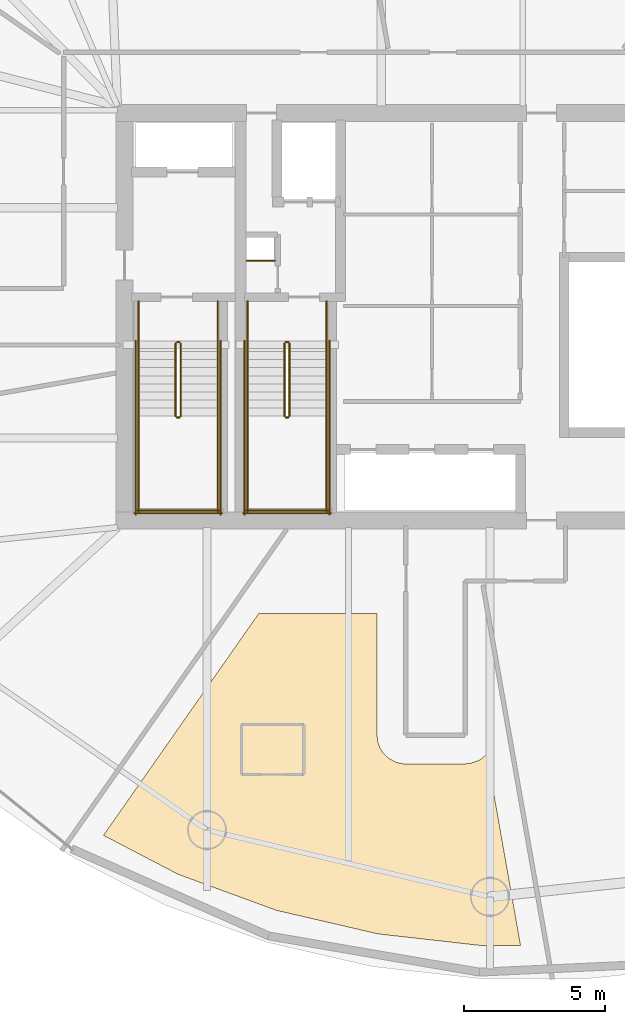
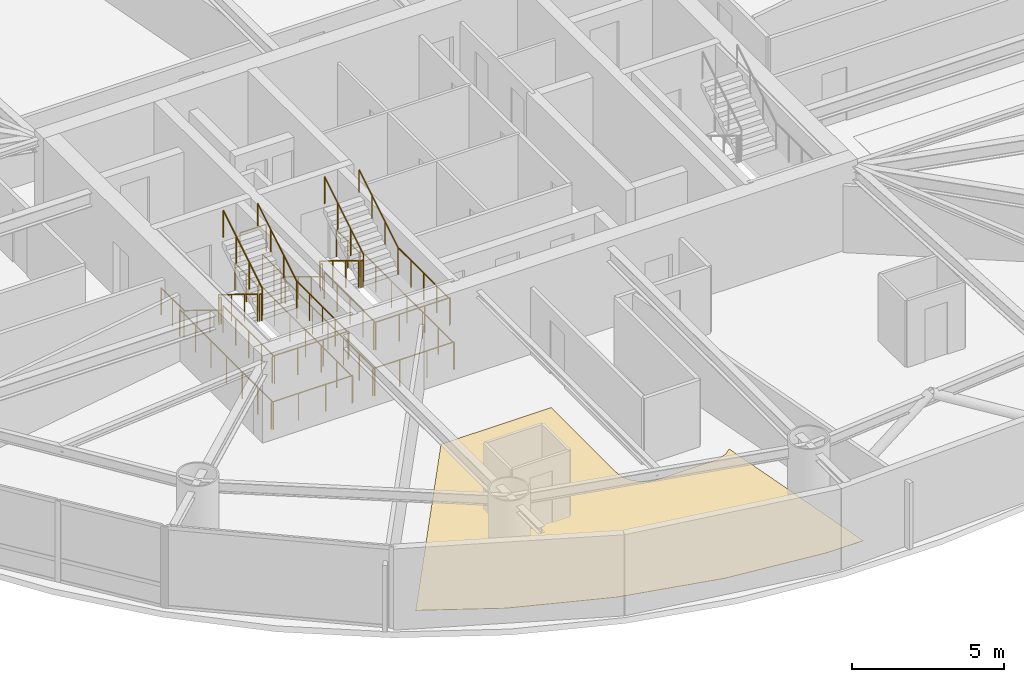
# One storey, part 18 of 20: 29 railings, 1 covering.
"""IFC4 building model written with IfcOpenShell, lengths in metres."""

import ifcopenshell
import ifcopenshell.guid

model = None  # the IFC model being written
_history = None  # IfcOwnerHistory: only IFC2X3 demands one
_inside = {}  # id of a spatial element -> (the spatial element, [elements in it])
_under = {}  # id of a project, library or spatial element -> (it, [spatial elements below it])
_declared = {}  # id of a project -> (the project, [libraries it declares])
_typed = {}  # id of a type object -> (the type object, [elements of that type])
_made_of = {}  # id of a material, layer set ... -> (it, [elements and type objects made of it])


def new_model(schema):
    """Start an empty IFC model of exactly this schema.

    Asked for "IFC4X3", IfcOpenShell would pick the latest addendum, in which some entities
    have other attributes; the version numbers below select the first issue.
    IFC2X3 requires an IfcOwnerHistory on every rooted entity: one is made here for all.
    """
    global model, _history
    if schema == "IFC4X3":
        model = ifcopenshell.file(schema_version=(4, 3, 0, 0))
    else:
        model = ifcopenshell.file(schema=schema)
    _inside.clear()
    _under.clear()
    _declared.clear()
    _typed.clear()
    _made_of.clear()
    _history = None
    if model.schema == "IFC2X3":
        org = make("IfcOrganization", Name="unknown")
        user = make(
            "IfcPersonAndOrganization",
            ThePerson=make("IfcPerson", FamilyName="unknown"),
            TheOrganization=org,
        )
        app = make(
            "IfcApplication",
            ApplicationDeveloper=org,
            Version="unknown",
            ApplicationFullName="unknown",
            ApplicationIdentifier="unknown",
        )
        _history = make(
            "IfcOwnerHistory",
            OwningUser=user,
            OwningApplication=app,
            ChangeAction="ADDED",
            CreationDate=0,
        )
    return model


def make(cls, **values):
    """One entity of the class cls with the attributes given. An attribute that is None is left unset."""
    return model.create_entity(
        cls, **{name: value for name, value in values.items() if value is not None}
    )


def rooted(cls, **values):
    """An entity with a GlobalId (a new one), such as an element, a storey or a relation."""
    return make(cls, GlobalId=ifcopenshell.guid.new(), OwnerHistory=_history, **values)


def si_unit(unit_type, name, prefix=None):
    """IfcSIUnit, for example si_unit("LENGTHUNIT", "METRE", prefix="MILLI")."""
    return make("IfcSIUnit", UnitType=unit_type, Prefix=prefix, Name=name)


def assignment(units):
    """IfcUnitAssignment: the units of a project."""
    return None if units is None else make("IfcUnitAssignment", Units=units)


def point(xyz):
    """IfcCartesianPoint."""
    return None if xyz is None else make("IfcCartesianPoint", Coordinates=xyz)


def direction(xyz):
    """IfcDirection."""
    return None if xyz is None else make("IfcDirection", DirectionRatios=xyz)


def frame(location, z_axis=None, x_axis=None):
    """IfcAxis2Placement3D, a coordinate frame: its origin and axes. An axis left out is left unset."""
    return make(
        "IfcAxis2Placement3D",
        Location=point(location),
        Axis=direction(z_axis),
        RefDirection=direction(x_axis),
    )


def frame_2d(location, x_axis=None):
    """IfcAxis2Placement2D, a coordinate frame in the plane: its origin and x axis."""
    return make(
        "IfcAxis2Placement2D", Location=point(location), RefDirection=direction(x_axis)
    )


def origin():
    """The frame at (0, 0, 0) with its axes left unset."""
    return frame((0.0, 0.0, 0.0))


def origin_2d():
    """The frame at (0, 0) in the plane with its x axis left unset."""
    return frame_2d((0.0, 0.0))


def place(relative_to, where):
    """IfcLocalPlacement: puts the frame where relative to a parent placement (None: the world)."""
    return make(
        "IfcLocalPlacement", PlacementRelTo=relative_to, RelativePlacement=where
    )


def context(
    kind, dimensions, precision=None, world=None, true_north=None, identifier=None
):
    """IfcGeometricRepresentationContext, for example the 3D "Model" context."""
    return make(
        "IfcGeometricRepresentationContext",
        ContextIdentifier=identifier,
        ContextType=kind,
        CoordinateSpaceDimension=dimensions,
        Precision=precision,
        WorldCoordinateSystem=world,
        TrueNorth=true_north,
    )


def subcontext(parent, identifier, kind, view, scale=None):
    """IfcGeometricRepresentationSubContext, for example "Body" below "Model"."""
    return make(
        "IfcGeometricRepresentationSubContext",
        ContextIdentifier=identifier,
        ContextType=kind,
        ParentContext=parent,
        TargetScale=scale,
        TargetView=view,
    )


def project(units=None, contexts=None):
    """IfcProject with its units and contexts."""
    return rooted(
        "IfcProject",
        Name="project",
        RepresentationContexts=contexts,
        UnitsInContext=assignment(units),
    )


def spatial(cls, under=None, at=None, **own):
    """A site, building, storey or space (cls), placed at a placement, below another one or the project."""
    s = rooted(cls, ObjectPlacement=at, **own)
    if under is not None:
        _under.setdefault(under.id(), (under, []))[1].append(s)
    return s


def polyline(points):
    """IfcPolyline through the points."""
    return make("IfcPolyline", Points=[point(p) for p in points])


def profile(cls, at=None, kind="AREA", **sizes):
    """A parametric profile (cls). Its sizes go by their IFC names, for example OverallWidth=200.0."""
    return make(cls, ProfileType=kind, Position=at, **sizes)


def circle(**sizes):
    """IfcCircleProfileDef."""
    return profile("IfcCircleProfileDef", **sizes)


def outline(outer, holes=None, kind="AREA"):
    """IfcArbitraryClosedProfileDef: a profile drawn as a closed curve; with holes, ...WithVoids."""
    if holes is None:
        return make("IfcArbitraryClosedProfileDef", ProfileType=kind, OuterCurve=outer)
    return make(
        "IfcArbitraryProfileDefWithVoids",
        ProfileType=kind,
        OuterCurve=outer,
        InnerCurves=holes,
    )


def extrude(swept, where, along, depth):
    """IfcExtrudedAreaSolid: the profile swept, set in the frame where, extruded along a direction by depth."""
    return make(
        "IfcExtrudedAreaSolid",
        SweptArea=swept,
        Position=where,
        ExtrudedDirection=direction(along),
        Depth=depth,
    )


def shape(context_of_items, identifier, shape_type, items):
    """IfcShapeRepresentation: the items that make up one representation, for example the "Body"."""
    return make(
        "IfcShapeRepresentation",
        ContextOfItems=context_of_items,
        RepresentationIdentifier=identifier,
        RepresentationType=shape_type,
        Items=items,
    )


def material(Name=None, Category=None):
    """IfcMaterial."""
    return make("IfcMaterial", Name=Name, Category=Category)


def layer(
    of_material, thickness, ventilated=None, Name=None, Category=None, Priority=None
):
    """IfcMaterialLayer: one layer of a wall or slab, of a material (None: an air gap)."""
    return make(
        "IfcMaterialLayer",
        Material=of_material,
        LayerThickness=thickness,
        IsVentilated=ventilated,
        Name=Name,
        Category=Category,
        Priority=Priority,
    )


def layer_set(layers, Name=None):
    """IfcMaterialLayerSet."""
    return make("IfcMaterialLayerSet", MaterialLayers=layers, LayerSetName=Name)


def made_of(thing, what):
    """Note that an element or type object is made of a material, layer set ...; save() writes the relation."""
    if what is not None:
        _made_of.setdefault(what.id(), (what, []))[1].append(thing)
    return thing


def type_object(cls, material=None, **own):
    """A type object (cls), such as IfcWallType, which elements share."""
    return made_of(rooted(cls, **own), material)


def element(
    cls,
    number,
    at=None,
    inside=None,
    cuts=None,
    type_object=None,
    material=None,
    context=None,
    identifier="Body",
    shape_type=None,
    held_by="IfcProductDefinitionShape",
    body=None,
    shapes=None,
    **own,
):
    """One element of the class cls, such as IfcWall. Its Tag is "e" and its number.

    at: its placement. inside: the storey or other place that contains it. cuts: it is an
    opening in that element (IfcRelVoidsElement). A single representation is given by context,
    identifier, shape_type and body (its items); several are given by shapes. held_by: the class
    of the entity that holds the representations. save() writes the other relations.
    """
    e = rooted(cls, Tag="e%d" % number, ObjectPlacement=at, **own)
    if body is not None:
        shapes = [shape(context, identifier, shape_type, body)]
    if shapes is not None:
        e.Representation = make(held_by, Representations=shapes)
    if inside is not None:
        _inside.setdefault(inside.id(), (inside, []))[1].append(e)
    if cuts is not None:
        rooted(
            "IfcRelVoidsElement", RelatingBuildingElement=cuts, RelatedOpeningElement=e
        )
    if type_object is not None:
        _typed.setdefault(type_object.id(), (type_object, []))[1].append(e)
    return made_of(e, material)


def aggregate(whole, parts):
    """IfcRelAggregates: a whole, such as a stair, and the parts it consists of."""
    return rooted("IfcRelAggregates", RelatingObject=whole, RelatedObjects=parts)


def save(model, path):
    """Write the relations noted so far, then the file.

    IfcRelAggregates (storeys below a building ...), IfcRelContainedInSpatialStructure (elements
    in a storey), IfcRelDefinesByType, IfcRelAssociatesMaterial and IfcRelDeclares: one each for
    every whole, place, type object, material and project.
    """
    for whole, parts in _under.values():
        aggregate(whole, parts)
    for where, things in _inside.values():
        rooted(
            "IfcRelContainedInSpatialStructure",
            RelatedElements=things,
            RelatingStructure=where,
        )
    for kind, things in _typed.values():
        rooted("IfcRelDefinesByType", RelatedObjects=things, RelatingType=kind)
    for what, things in _made_of.values():
        rooted("IfcRelAssociatesMaterial", RelatedObjects=things, RelatingMaterial=what)
    for by, libraries in _declared.values():
        rooted("IfcRelDeclares", RelatingContext=by, RelatedDefinitions=libraries)
    model.write(path)


model = new_model("IFC4")

# Units and contexts
model_context = context("Model", 3, precision=1e-05, world=origin(), true_north=direction((0.0, 1.0)))
body_context = subcontext(model_context, "Body", "Model", "MODEL_VIEW")
ifc_project = project(units=[si_unit("LENGTHUNIT", "METRE"), si_unit("AREAUNIT", "SQUARE_METRE"), si_unit("VOLUMEUNIT", "CUBIC_METRE"), si_unit("PLANEANGLEUNIT", "RADIAN"), si_unit("MASSUNIT", "GRAM", prefix="KILO")], contexts=[model_context])

# Site, building, storey
site_placement = place(None, origin())
site = spatial("IfcSite", under=ifc_project, at=site_placement, CompositionType="ELEMENT")
building_placement = place(site_placement, origin())
building = spatial("IfcBuilding", under=site, at=building_placement, Name="Bramvorn Convention Spire", CompositionType="ELEMENT")
storey_placement = place(building_placement, frame((0.0, 0.0, 155.300048828125)))
storey = spatial("IfcBuildingStorey", under=building, at=storey_placement, Name="L39", CompositionType="ELEMENT", Elevation=155.300048828125)

# Covering
ifc_material_1 = material(Name="Solution-Dyed Wool Broadloom Hospitality Carpet", Category="textile")
ifc_layer = layer(ifc_material_1, 0.014892578125)
ifc_layer_set = layer_set([ifc_layer], Name="Solution-Dyed Wool Broadloom Hospitality Carpet - FLR-CARPET-15")
covering_type = type_object("IfcCoveringType", Name="FLR-CARPET-15", PredefinedType="FLOORING", material=ifc_layer_set)
covering_placement = place(storey_placement, origin())
element("IfcCovering", 1, at=covering_placement, inside=storey, type_object=covering_type, Name="Hotel Suite 3906 wool broadloom carpet", PredefinedType="FLOORING", context=body_context, shape_type="SweptSolid", body=[
    extrude(outline(polyline([(28.89697265625, 6.279052734375), (32.367919921875, 5.006103515625), (35.9658203125, 4.171630859375), (39.611572265625, 3.760498046875), (41.008544921875, 3.75439453125), (39.814697265625, 10.525634765625), (39.5693359375, 10.322265625), (39.19384765625, 10.190185546875), (36.89404296875, 10.181640625), (36.612060546875, 10.23779296875), (36.34716796875, 10.377197265625), (36.134521484375, 10.587646484375), (36.025390625, 10.769287109375), (35.959228515625, 10.9580078125), (35.929931640625, 11.199951171875), (35.929931640625, 15.5), (31.74658203125, 15.5), (26.255615234375, 7.658203125), (28.89697265625, 6.279052734375)])), origin(), (0.0, 0.0, 1.0), 0.014892578125),
])

# Railings
ifc_material_2 = material(Name="Painted Steel Balustrade & Guardrail", Category="steel")
railing_type_1 = type_object("IfcRailingType", Name="RL-STAIR-GUARD-1100", PredefinedType="GUARDRAIL", material=ifc_material_2)
railing_1_placement = place(storey_placement, frame((28.81005859375, 25.050048828125, 0.175048828125)))
element("IfcRailing", 2, at=railing_1_placement, inside=storey, type_object=railing_type_1, Name="L39 ST1 stair guard 1", PredefinedType="GUARDRAIL", context=body_context, shape_type="SweptSolid", body=[
    extrude(circle(Radius=0.02392578125, at=origin_2d()), frame((0.0, 0.0, 1.076171875), z_axis=(0.0, -0.852173129349, 0.523259933127), x_axis=(1.0, 0.0, 0.0)), (0.0, 0.0, 1.0), 3.009765625),
    extrude(circle(Radius=0.02099609375, at=origin_2d()), origin(), (0.0, 0.0, 1.0), 1.052001953125),
    extrude(circle(Radius=0.02099609375, at=origin_2d()), frame((0.0, -0.85498046875, 0.52490234375)), (0.0, 0.0, 1.0), 1.052001953125),
    extrude(circle(Radius=0.02099609375, at=origin_2d()), frame((0.0, -1.7099609375, 1.050048828125)), (0.0, 0.0, 1.0), 1.052001953125),
    extrude(circle(Radius=0.02099609375, at=origin_2d()), frame((0.0, -2.56494140625, 1.574951171875)), (0.0, 0.0, 1.0), 1.052001953125),
])
railing_2_placement = place(storey_placement, frame((28.860107421875, 22.43505859375, 1.75)))
element("IfcRailing", 3, at=railing_2_placement, inside=storey, type_object=railing_type_1, Name="L39 ST1 stair guard 2", PredefinedType="GUARDRAIL", context=body_context, shape_type="SweptSolid", body=[
    extrude(circle(Radius=0.02392578125, at=origin_2d()), frame((0.0, 0.0, 1.076171875), z_axis=(1.0, 0.0, 0.0), x_axis=(0.0, 1.0, 0.0)), (0.0, 0.0, 1.0), 0.079833984375),
    extrude(circle(Radius=0.02099609375, at=origin_2d()), origin(), (0.0, 0.0, 1.0), 1.052001953125),
    extrude(circle(Radius=0.02099609375, at=origin_2d()), frame((0.079833984375, 0.0, 0.0)), (0.0, 0.0, 1.0), 1.052001953125),
])
for number, where, name in (
    (4, (27.5, 22.485107421875, 1.75), "L39 ST1 stair guard 3"),
    (5, (30.300048828125, 22.485107421875, 1.75), "L39 ST1 stair guard 4"),
):
    element("IfcRailing", number, at=place(storey_placement, frame(where)), inside=storey, type_object=railing_type_1, Name=name, PredefinedType="GUARDRAIL", context=body_context, shape_type="SweptSolid", body=[
        extrude(circle(Radius=0.02392578125, at=origin_2d()), frame((0.0, 0.0, 1.076171875), z_axis=(0.0, -1.0, 0.0), x_axis=(1.0, 0.0, 0.0)), (0.0, 0.0, 1.0), 3.385009765625),
        extrude(circle(Radius=0.02099609375, at=origin_2d()), origin(), (0.0, 0.0, 1.0), 1.052001953125),
        extrude(circle(Radius=0.02099609375, at=origin_2d()), frame((0.0, -0.84619140625, 0.0)), (0.0, 0.0, 1.0), 1.052001953125),
        extrude(circle(Radius=0.02099609375, at=origin_2d()), frame((0.0, -1.6923828125, 0.0)), (0.0, 0.0, 1.0), 1.052001953125),
        extrude(circle(Radius=0.02099609375, at=origin_2d()), frame((0.0, -2.538818359375, 0.0)), (0.0, 0.0, 1.0), 1.052001953125),
        extrude(circle(Radius=0.02099609375, at=origin_2d()), frame((0.0, -3.385009765625, 0.0)), (0.0, 0.0, 1.0), 1.052001953125),
    ])
railing_3_placement = place(storey_placement, frame((27.449951171875, 19.14990234375, 1.75)))
element("IfcRailing", 6, at=railing_3_placement, inside=storey, type_object=railing_type_1, Name="L39 ST1 stair guard 5", PredefinedType="GUARDRAIL", context=body_context, shape_type="SweptSolid", body=[
    extrude(circle(Radius=0.02392578125, at=origin_2d()), frame((0.0, 0.0, 1.076171875), z_axis=(1.0, 0.0, 0.0), x_axis=(0.0, 1.0, 0.0)), (0.0, 0.0, 1.0), 2.900146484375),
    extrude(circle(Radius=0.02099609375, at=origin_2d()), origin(), (0.0, 0.0, 1.0), 1.052001953125),
    extrude(circle(Radius=0.02099609375, at=origin_2d()), frame((0.966796875, 0.0, 0.0)), (0.0, 0.0, 1.0), 1.052001953125),
    extrude(circle(Radius=0.02099609375, at=origin_2d()), frame((1.933349609375, 0.0, 0.0)), (0.0, 0.0, 1.0), 1.052001953125),
    extrude(circle(Radius=0.02099609375, at=origin_2d()), frame((2.900146484375, 0.0, 0.0)), (0.0, 0.0, 1.0), 1.052001953125),
])
railing_4_placement = place(storey_placement, frame((28.989990234375, 22.485107421875, 1.925048828125)))
element("IfcRailing", 7, at=railing_4_placement, inside=storey, type_object=railing_type_1, Name="L39 ST1 stair guard 6", PredefinedType="GUARDRAIL", context=body_context, shape_type="SweptSolid", body=[
    extrude(circle(Radius=0.02392578125, at=origin_2d()), frame((0.0, 0.0, 1.076171875), z_axis=(0.0, 0.852173129349, 0.523259933127), x_axis=(-1.0, 0.0, 0.0)), (0.0, 0.0, 1.0), 3.009765625),
    extrude(circle(Radius=0.02099609375, at=origin_2d()), origin(), (0.0, 0.0, 1.0), 1.052001953125),
    extrude(circle(Radius=0.02099609375, at=origin_2d()), frame((0.0, 0.85498046875, 0.52490234375)), (0.0, 0.0, 1.0), 1.052001953125),
    extrude(circle(Radius=0.02099609375, at=origin_2d()), frame((0.0, 1.7099609375, 1.050048828125)), (0.0, 0.0, 1.0), 1.052001953125),
    extrude(circle(Radius=0.02099609375, at=origin_2d()), frame((0.0, 2.56494140625, 1.574951171875)), (0.0, 0.0, 1.0), 1.052001953125),
])
railing_5_placement = place(storey_placement, frame((28.860107421875, 25.10009765625, 0.0)))
element("IfcRailing", 8, at=railing_5_placement, inside=storey, type_object=railing_type_1, Name="L39 ST1 stair guard 7", PredefinedType="GUARDRAIL", context=body_context, shape_type="SweptSolid", body=[
    extrude(circle(Radius=0.02392578125, at=origin_2d()), frame((0.0, 0.0, 1.076171875), z_axis=(1.0, 0.0, 0.0), x_axis=(0.0, 1.0, 0.0)), (0.0, 0.0, 1.0), 0.079833984375),
    extrude(circle(Radius=0.02099609375, at=origin_2d()), origin(), (0.0, 0.0, 1.0), 1.052001953125),
    extrude(circle(Radius=0.02099609375, at=origin_2d()), frame((0.079833984375, 0.0, 0.0)), (0.0, 0.0, 1.0), 1.052001953125),
])
for number, where, name in (
    (9, (27.5, 26.550048828125, 0.0), "L39 ST1 stair guard 8"),
    (10, (30.300048828125, 26.550048828125, 0.0), "L39 ST1 stair guard 9"),
):
    element("IfcRailing", number, at=place(storey_placement, frame(where)), inside=storey, type_object=railing_type_1, Name=name, PredefinedType="GUARDRAIL", context=body_context, shape_type="SweptSolid", body=[
        extrude(circle(Radius=0.02392578125, at=origin_2d()), frame((0.0, 0.0, 1.076171875), z_axis=(0.0, -1.0, 0.0), x_axis=(1.0, 0.0, 0.0)), (0.0, 0.0, 1.0), 1.5),
        extrude(circle(Radius=0.02099609375, at=origin_2d()), origin(), (0.0, 0.0, 1.0), 1.052001953125),
        extrude(circle(Radius=0.02099609375, at=origin_2d()), frame((0.0, -0.75, 0.0)), (0.0, 0.0, 1.0), 1.052001953125),
        extrude(circle(Radius=0.02099609375, at=origin_2d()), frame((0.0, -1.5, 0.0)), (0.0, 0.0, 1.0), 1.052001953125),
    ])
for number, where, name in (
    (11, (27.39990234375, 25.14990234375, 0.0), "L39 ST1 stair guard 10"),
    (12, (30.39990234375, 25.14990234375, 0.0), "L39 ST1 stair guard 11"),
):
    element("IfcRailing", number, at=place(storey_placement, frame(where)), inside=storey, type_object=railing_type_1, Name=name, PredefinedType="GUARDRAIL", context=body_context, shape_type="SweptSolid", body=[
        extrude(circle(Radius=0.02392578125, at=origin_2d()), frame((0.0, 0.0, 1.076171875), z_axis=(0.0, -1.0, 0.0), x_axis=(1.0, 0.0, 0.0)), (0.0, 0.0, 1.0), 6.14990234375),
        extrude(circle(Radius=0.02099609375, at=origin_2d()), origin(), (0.0, 0.0, 1.0), 1.052001953125),
        extrude(circle(Radius=0.02099609375, at=origin_2d()), frame((0.0, -1.02490234375, 0.0)), (0.0, 0.0, 1.0), 1.052001953125),
        extrude(circle(Radius=0.02099609375, at=origin_2d()), frame((0.0, -2.050048828125, 0.0)), (0.0, 0.0, 1.0), 1.052001953125),
        extrude(circle(Radius=0.02099609375, at=origin_2d()), frame((0.0, -3.074951171875, 0.0)), (0.0, 0.0, 1.0), 1.052001953125),
        extrude(circle(Radius=0.02099609375, at=origin_2d()), frame((0.0, -4.099853515625, 0.0)), (0.0, 0.0, 1.0), 1.052001953125),
        extrude(circle(Radius=0.02099609375, at=origin_2d()), frame((0.0, -5.125, 0.0)), (0.0, 0.0, 1.0), 1.052001953125),
        extrude(circle(Radius=0.02099609375, at=origin_2d()), frame((0.0, -6.14990234375, 0.0)), (0.0, 0.0, 1.0), 1.052001953125),
    ])
railing_6_placement = place(storey_placement, frame((27.35009765625, 19.050048828125, 0.0)))
element("IfcRailing", 13, at=railing_6_placement, inside=storey, type_object=railing_type_1, Name="L39 ST1 stair guard 12", PredefinedType="GUARDRAIL", context=body_context, shape_type="SweptSolid", body=[
    extrude(circle(Radius=0.02392578125, at=origin_2d()), frame((0.0, 0.0, 1.076171875), z_axis=(1.0, 0.0, 0.0), x_axis=(0.0, 1.0, 0.0)), (0.0, 0.0, 1.0), 3.099853515625),
    extrude(circle(Radius=0.02099609375, at=origin_2d()), origin(), (0.0, 0.0, 1.0), 1.052001953125),
    extrude(circle(Radius=0.02099609375, at=origin_2d()), frame((1.033203125, 0.0, 0.0)), (0.0, 0.0, 1.0), 1.052001953125),
    extrude(circle(Radius=0.02099609375, at=origin_2d()), frame((2.066650390625, 0.0, 0.0)), (0.0, 0.0, 1.0), 1.052001953125),
    extrude(circle(Radius=0.02099609375, at=origin_2d()), frame((3.099853515625, 0.0, 0.0)), (0.0, 0.0, 1.0), 1.052001953125),
])
railing_7_placement = place(storey_placement, frame((32.659912109375, 25.050048828125, 0.175048828125)))
element("IfcRailing", 14, at=railing_7_placement, inside=storey, type_object=railing_type_1, Name="L39 ST3 stair guard 1", PredefinedType="GUARDRAIL", context=body_context, shape_type="SweptSolid", body=[
    extrude(circle(Radius=0.02392578125, at=origin_2d()), frame((0.0, 0.0, 1.076171875), z_axis=(0.0, -0.852173129349, 0.523259933127), x_axis=(1.0, 0.0, 0.0)), (0.0, 0.0, 1.0), 3.009765625),
    extrude(circle(Radius=0.02099609375, at=origin_2d()), origin(), (0.0, 0.0, 1.0), 1.052001953125),
    extrude(circle(Radius=0.02099609375, at=origin_2d()), frame((0.0, -0.85498046875, 0.52490234375)), (0.0, 0.0, 1.0), 1.052001953125),
    extrude(circle(Radius=0.02099609375, at=origin_2d()), frame((0.0, -1.7099609375, 1.050048828125)), (0.0, 0.0, 1.0), 1.052001953125),
    extrude(circle(Radius=0.02099609375, at=origin_2d()), frame((0.0, -2.56494140625, 1.574951171875)), (0.0, 0.0, 1.0), 1.052001953125),
])
railing_8_placement = place(storey_placement, frame((32.7099609375, 22.43505859375, 1.75)))
element("IfcRailing", 15, at=railing_8_placement, inside=storey, type_object=railing_type_1, Name="L39 ST3 stair guard 2", PredefinedType="GUARDRAIL", context=body_context, shape_type="SweptSolid", body=[
    extrude(circle(Radius=0.02392578125, at=origin_2d()), frame((0.0, 0.0, 1.076171875), z_axis=(1.0, 0.0, 0.0), x_axis=(0.0, 1.0, 0.0)), (0.0, 0.0, 1.0), 0.080078125),
    extrude(circle(Radius=0.02099609375, at=origin_2d()), origin(), (0.0, 0.0, 1.0), 1.052001953125),
    extrude(circle(Radius=0.02099609375, at=origin_2d()), frame((0.080078125, 0.0, 0.0)), (0.0, 0.0, 1.0), 1.052001953125),
])
for number, where, name in (
    (16, (31.35009765625, 22.485107421875, 1.75), "L39 ST3 stair guard 3"),
    (17, (34.14990234375, 22.485107421875, 1.75), "L39 ST3 stair guard 4"),
):
    element("IfcRailing", number, at=place(storey_placement, frame(where)), inside=storey, type_object=railing_type_1, Name=name, PredefinedType="GUARDRAIL", context=body_context, shape_type="SweptSolid", body=[
        extrude(circle(Radius=0.02392578125, at=origin_2d()), frame((0.0, 0.0, 1.076171875), z_axis=(0.0, -1.0, 0.0), x_axis=(1.0, 0.0, 0.0)), (0.0, 0.0, 1.0), 3.385009765625),
        extrude(circle(Radius=0.02099609375, at=origin_2d()), origin(), (0.0, 0.0, 1.0), 1.052001953125),
        extrude(circle(Radius=0.02099609375, at=origin_2d()), frame((0.0, -0.84619140625, 0.0)), (0.0, 0.0, 1.0), 1.052001953125),
        extrude(circle(Radius=0.02099609375, at=origin_2d()), frame((0.0, -1.6923828125, 0.0)), (0.0, 0.0, 1.0), 1.052001953125),
        extrude(circle(Radius=0.02099609375, at=origin_2d()), frame((0.0, -2.538818359375, 0.0)), (0.0, 0.0, 1.0), 1.052001953125),
        extrude(circle(Radius=0.02099609375, at=origin_2d()), frame((0.0, -3.385009765625, 0.0)), (0.0, 0.0, 1.0), 1.052001953125),
    ])
railing_9_placement = place(storey_placement, frame((31.300048828125, 19.14990234375, 1.75)))
element("IfcRailing", 18, at=railing_9_placement, inside=storey, type_object=railing_type_1, Name="L39 ST3 stair guard 5", PredefinedType="GUARDRAIL", context=body_context, shape_type="SweptSolid", body=[
    extrude(circle(Radius=0.02392578125, at=origin_2d()), frame((0.0, 0.0, 1.076171875), z_axis=(1.0, 0.0, 0.0), x_axis=(0.0, 1.0, 0.0)), (0.0, 0.0, 1.0), 2.89990234375),
    extrude(circle(Radius=0.02099609375, at=origin_2d()), origin(), (0.0, 0.0, 1.0), 1.052001953125),
    extrude(circle(Radius=0.02099609375, at=origin_2d()), frame((0.966552734375, 0.0, 0.0)), (0.0, 0.0, 1.0), 1.052001953125),
    extrude(circle(Radius=0.02099609375, at=origin_2d()), frame((1.933349609375, 0.0, 0.0)), (0.0, 0.0, 1.0), 1.052001953125),
    extrude(circle(Radius=0.02099609375, at=origin_2d()), frame((2.89990234375, 0.0, 0.0)), (0.0, 0.0, 1.0), 1.052001953125),
])
railing_10_placement = place(storey_placement, frame((32.840087890625, 22.485107421875, 1.925048828125)))
element("IfcRailing", 19, at=railing_10_placement, inside=storey, type_object=railing_type_1, Name="L39 ST3 stair guard 6", PredefinedType="GUARDRAIL", context=body_context, shape_type="SweptSolid", body=[
    extrude(circle(Radius=0.02392578125, at=origin_2d()), frame((0.0, 0.0, 1.076171875), z_axis=(0.0, 0.852173129349, 0.523259933127), x_axis=(-1.0, 0.0, 0.0)), (0.0, 0.0, 1.0), 3.009765625),
    extrude(circle(Radius=0.02099609375, at=origin_2d()), origin(), (0.0, 0.0, 1.0), 1.052001953125),
    extrude(circle(Radius=0.02099609375, at=origin_2d()), frame((0.0, 0.85498046875, 0.52490234375)), (0.0, 0.0, 1.0), 1.052001953125),
    extrude(circle(Radius=0.02099609375, at=origin_2d()), frame((0.0, 1.7099609375, 1.050048828125)), (0.0, 0.0, 1.0), 1.052001953125),
    extrude(circle(Radius=0.02099609375, at=origin_2d()), frame((0.0, 2.56494140625, 1.574951171875)), (0.0, 0.0, 1.0), 1.052001953125),
])
railing_11_placement = place(storey_placement, frame((32.7099609375, 25.10009765625, 0.0)))
element("IfcRailing", 20, at=railing_11_placement, inside=storey, type_object=railing_type_1, Name="L39 ST3 stair guard 7", PredefinedType="GUARDRAIL", context=body_context, shape_type="SweptSolid", body=[
    extrude(circle(Radius=0.02392578125, at=origin_2d()), frame((0.0, 0.0, 1.076171875), z_axis=(1.0, 0.0, 0.0), x_axis=(0.0, 1.0, 0.0)), (0.0, 0.0, 1.0), 0.080078125),
    extrude(circle(Radius=0.02099609375, at=origin_2d()), origin(), (0.0, 0.0, 1.0), 1.052001953125),
    extrude(circle(Radius=0.02099609375, at=origin_2d()), frame((0.080078125, 0.0, 0.0)), (0.0, 0.0, 1.0), 1.052001953125),
])
for number, where, name in (
    (21, (31.35009765625, 26.550048828125, 0.0), "L39 ST3 stair guard 8"),
    (22, (34.14990234375, 26.550048828125, 0.0), "L39 ST3 stair guard 9"),
):
    element("IfcRailing", number, at=place(storey_placement, frame(where)), inside=storey, type_object=railing_type_1, Name=name, PredefinedType="GUARDRAIL", context=body_context, shape_type="SweptSolid", body=[
        extrude(circle(Radius=0.02392578125, at=origin_2d()), frame((0.0, 0.0, 1.076171875), z_axis=(0.0, -1.0, 0.0), x_axis=(1.0, 0.0, 0.0)), (0.0, 0.0, 1.0), 1.5),
        extrude(circle(Radius=0.02099609375, at=origin_2d()), origin(), (0.0, 0.0, 1.0), 1.052001953125),
        extrude(circle(Radius=0.02099609375, at=origin_2d()), frame((0.0, -0.75, 0.0)), (0.0, 0.0, 1.0), 1.052001953125),
        extrude(circle(Radius=0.02099609375, at=origin_2d()), frame((0.0, -1.5, 0.0)), (0.0, 0.0, 1.0), 1.052001953125),
    ])
for number, where, name in (
    (23, (31.25, 25.14990234375, 0.0), "L39 ST3 stair guard 10"),
    (24, (34.25, 25.14990234375, 0.0), "L39 ST3 stair guard 11"),
):
    element("IfcRailing", number, at=place(storey_placement, frame(where)), inside=storey, type_object=railing_type_1, Name=name, PredefinedType="GUARDRAIL", context=body_context, shape_type="SweptSolid", body=[
        extrude(circle(Radius=0.02392578125, at=origin_2d()), frame((0.0, 0.0, 1.076171875), z_axis=(0.0, -1.0, 0.0), x_axis=(1.0, 0.0, 0.0)), (0.0, 0.0, 1.0), 6.14990234375),
        extrude(circle(Radius=0.02099609375, at=origin_2d()), origin(), (0.0, 0.0, 1.0), 1.052001953125),
        extrude(circle(Radius=0.02099609375, at=origin_2d()), frame((0.0, -1.02490234375, 0.0)), (0.0, 0.0, 1.0), 1.052001953125),
        extrude(circle(Radius=0.02099609375, at=origin_2d()), frame((0.0, -2.050048828125, 0.0)), (0.0, 0.0, 1.0), 1.052001953125),
        extrude(circle(Radius=0.02099609375, at=origin_2d()), frame((0.0, -3.074951171875, 0.0)), (0.0, 0.0, 1.0), 1.052001953125),
        extrude(circle(Radius=0.02099609375, at=origin_2d()), frame((0.0, -4.099853515625, 0.0)), (0.0, 0.0, 1.0), 1.052001953125),
        extrude(circle(Radius=0.02099609375, at=origin_2d()), frame((0.0, -5.125, 0.0)), (0.0, 0.0, 1.0), 1.052001953125),
        extrude(circle(Radius=0.02099609375, at=origin_2d()), frame((0.0, -6.14990234375, 0.0)), (0.0, 0.0, 1.0), 1.052001953125),
    ])
railing_12_placement = place(storey_placement, frame((31.199951171875, 19.050048828125, 0.0)))
element("IfcRailing", 25, at=railing_12_placement, inside=storey, type_object=railing_type_1, Name="L39 ST3 stair guard 12", PredefinedType="GUARDRAIL", context=body_context, shape_type="SweptSolid", body=[
    extrude(circle(Radius=0.02392578125, at=origin_2d()), frame((0.0, 0.0, 1.076171875), z_axis=(1.0, 0.0, 0.0), x_axis=(0.0, 1.0, 0.0)), (0.0, 0.0, 1.0), 3.10009765625),
    extrude(circle(Radius=0.02099609375, at=origin_2d()), origin(), (0.0, 0.0, 1.0), 1.052001953125),
    extrude(circle(Radius=0.02099609375, at=origin_2d()), frame((1.033447265625, 0.0, 0.0)), (0.0, 0.0, 1.0), 1.052001953125),
    extrude(circle(Radius=0.02099609375, at=origin_2d()), frame((2.066650390625, 0.0, 0.0)), (0.0, 0.0, 1.0), 1.052001953125),
    extrude(circle(Radius=0.02099609375, at=origin_2d()), frame((3.10009765625, 0.0, 0.0)), (0.0, 0.0, 1.0), 1.052001953125),
])
railing_13_placement = place(storey_placement, frame((31.320068359375, 27.97998046875, 0.0)))
element("IfcRailing", 26, at=railing_13_placement, inside=storey, type_object=railing_type_1, Name="L39 Telecom riser shaft opening safety guardrail", PredefinedType="GUARDRAIL", context=body_context, shape_type="SweptSolid", body=[
    extrude(circle(Radius=0.02392578125, at=origin_2d()), frame((0.0, 0.0, 1.076171875), z_axis=(1.0, 0.0, 0.0), x_axis=(0.0, 1.0, 0.0)), (0.0, 0.0, 1.0), 1.0),
    extrude(circle(Radius=0.02099609375, at=origin_2d()), origin(), (0.0, 0.0, 1.0), 1.052001953125),
    extrude(circle(Radius=0.02099609375, at=origin_2d()), frame((1.0, 0.0, 0.0)), (0.0, 0.0, 1.0), 1.052001953125),
])
ifc_material_3 = material(Name="Brushed Bronze Tubular Handrail", Category="aluminium")
railing_type_2 = type_object("IfcRailingType", Name="RL-STAIR-HR-920", PredefinedType="HANDRAIL", material=ifc_material_3)
railing_14_placement = place(storey_placement, frame((27.5, 25.050048828125, 0.175048828125)))
element("IfcRailing", 27, at=railing_14_placement, inside=storey, type_object=railing_type_2, Name="L39 ST1 stair handrail 1", PredefinedType="HANDRAIL", context=body_context, shape_type="SweptSolid", body=[
    extrude(circle(Radius=0.02392578125, at=origin_2d()), frame((0.0, 0.0, 0.89599609375), z_axis=(0.0, -0.852173129349, 0.523259933127), x_axis=(1.0, 0.0, 0.0)), (0.0, 0.0, 1.0), 3.009765625),
    extrude(circle(Radius=0.02099609375, at=origin_2d()), origin(), (0.0, 0.0, 1.0), 0.871826171875),
    extrude(circle(Radius=0.02099609375, at=origin_2d()), frame((0.0, -0.85498046875, 0.52490234375)), (0.0, 0.0, 1.0), 0.871826171875),
    extrude(circle(Radius=0.02099609375, at=origin_2d()), frame((0.0, -1.7099609375, 1.050048828125)), (0.0, 0.0, 1.0), 0.871826171875),
    extrude(circle(Radius=0.02099609375, at=origin_2d()), frame((0.0, -2.56494140625, 1.574951171875)), (0.0, 0.0, 1.0), 0.871826171875),
])
railing_15_placement = place(storey_placement, frame((30.300048828125, 22.485107421875, 1.925048828125)))
element("IfcRailing", 28, at=railing_15_placement, inside=storey, type_object=railing_type_2, Name="L39 ST1 stair handrail 2", PredefinedType="HANDRAIL", context=body_context, shape_type="SweptSolid", body=[
    extrude(circle(Radius=0.02392578125, at=origin_2d()), frame((0.0, 0.0, 0.89599609375), z_axis=(0.0, 0.852173129349, 0.523259933127), x_axis=(-1.0, 0.0, 0.0)), (0.0, 0.0, 1.0), 3.009765625),
    extrude(circle(Radius=0.02099609375, at=origin_2d()), origin(), (0.0, 0.0, 1.0), 0.871826171875),
    extrude(circle(Radius=0.02099609375, at=origin_2d()), frame((0.0, 0.85498046875, 0.52490234375)), (0.0, 0.0, 1.0), 0.871826171875),
    extrude(circle(Radius=0.02099609375, at=origin_2d()), frame((0.0, 1.7099609375, 1.050048828125)), (0.0, 0.0, 1.0), 0.871826171875),
    extrude(circle(Radius=0.02099609375, at=origin_2d()), frame((0.0, 2.56494140625, 1.574951171875)), (0.0, 0.0, 1.0), 0.871826171875),
])
railing_16_placement = place(storey_placement, frame((31.35009765625, 25.050048828125, 0.175048828125)))
element("IfcRailing", 29, at=railing_16_placement, inside=storey, type_object=railing_type_2, Name="L39 ST3 stair handrail 1", PredefinedType="HANDRAIL", context=body_context, shape_type="SweptSolid", body=[
    extrude(circle(Radius=0.02392578125, at=origin_2d()), frame((0.0, 0.0, 0.89599609375), z_axis=(0.0, -0.852173129349, 0.523259933127), x_axis=(1.0, 0.0, 0.0)), (0.0, 0.0, 1.0), 3.009765625),
    extrude(circle(Radius=0.02099609375, at=origin_2d()), origin(), (0.0, 0.0, 1.0), 0.871826171875),
    extrude(circle(Radius=0.02099609375, at=origin_2d()), frame((0.0, -0.85498046875, 0.52490234375)), (0.0, 0.0, 1.0), 0.871826171875),
    extrude(circle(Radius=0.02099609375, at=origin_2d()), frame((0.0, -1.7099609375, 1.050048828125)), (0.0, 0.0, 1.0), 0.871826171875),
    extrude(circle(Radius=0.02099609375, at=origin_2d()), frame((0.0, -2.56494140625, 1.574951171875)), (0.0, 0.0, 1.0), 0.871826171875),
])
railing_17_placement = place(storey_placement, frame((34.14990234375, 22.485107421875, 1.925048828125)))
element("IfcRailing", 30, at=railing_17_placement, inside=storey, type_object=railing_type_2, Name="L39 ST3 stair handrail 2", PredefinedType="HANDRAIL", context=body_context, shape_type="SweptSolid", body=[
    extrude(circle(Radius=0.02392578125, at=origin_2d()), frame((0.0, 0.0, 0.89599609375), z_axis=(0.0, 0.852173129349, 0.523259933127), x_axis=(-1.0, 0.0, 0.0)), (0.0, 0.0, 1.0), 3.009765625),
    extrude(circle(Radius=0.02099609375, at=origin_2d()), origin(), (0.0, 0.0, 1.0), 0.871826171875),
    extrude(circle(Radius=0.02099609375, at=origin_2d()), frame((0.0, 0.85498046875, 0.52490234375)), (0.0, 0.0, 1.0), 0.871826171875),
    extrude(circle(Radius=0.02099609375, at=origin_2d()), frame((0.0, 1.7099609375, 1.050048828125)), (0.0, 0.0, 1.0), 0.871826171875),
    extrude(circle(Radius=0.02099609375, at=origin_2d()), frame((0.0, 2.56494140625, 1.574951171875)), (0.0, 0.0, 1.0), 0.871826171875),
])

save(model, "model.ifc")
